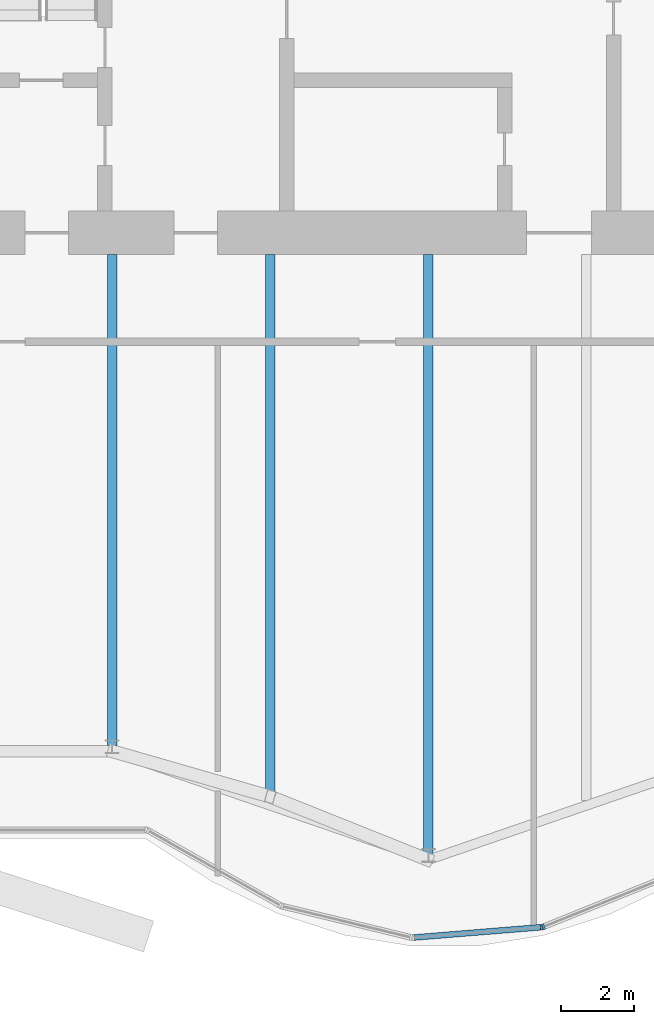
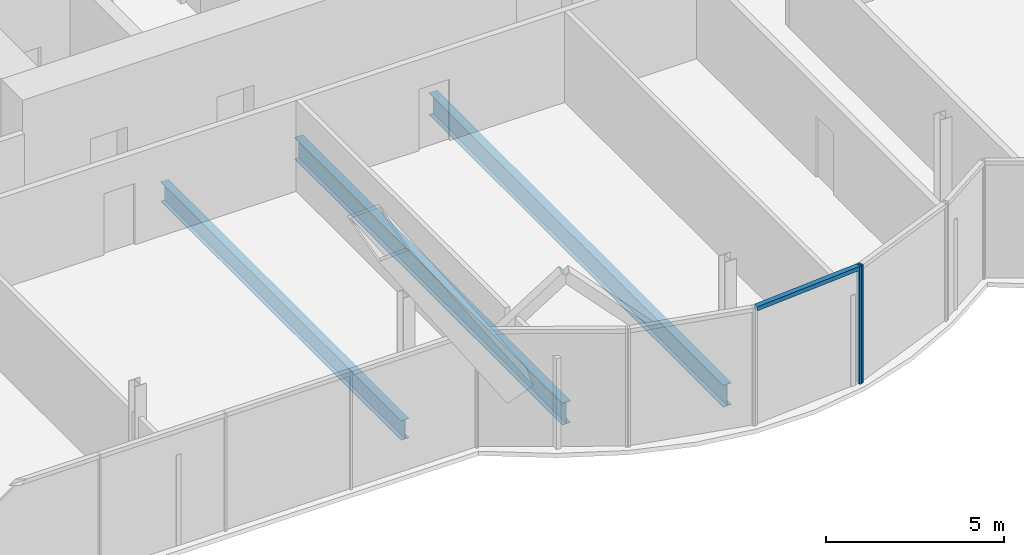
# One storey, part 8 of 23: 3 beams, 3 members, 1 element without a shape of its own.
"""IFC4 building model written with IfcOpenShell, lengths in metres."""

from ifc_helpers import new_model, si_unit, direction, frame, origin, origin_2d, place, context, subcontext, project, spatial, rectangle, i_section, extrude, material, material_profile, profile_set, type_object, element, aggregate, save


model = new_model("IFC4")

# Units and contexts
model_context = context("Model", 3, precision=1e-05, world=origin(), true_north=direction((0.0, 1.0)))
body_context = subcontext(model_context, "Body", "Model", "MODEL_VIEW")
ifc_project = project(units=[si_unit("LENGTHUNIT", "METRE"), si_unit("AREAUNIT", "SQUARE_METRE"), si_unit("VOLUMEUNIT", "CUBIC_METRE"), si_unit("PLANEANGLEUNIT", "RADIAN"), si_unit("MASSUNIT", "GRAM", prefix="KILO")], contexts=[model_context])

# Site, building, storey
site_placement = place(None, origin())
site = spatial("IfcSite", under=ifc_project, at=site_placement, CompositionType="ELEMENT")
building_placement = place(site_placement, origin())
building = spatial("IfcBuilding", under=site, at=building_placement, Name="Bicima Exchange Tower", CompositionType="ELEMENT")
storey_placement = place(building_placement, frame((0.0, 0.0, 262.39990234375)))
storey = spatial("IfcBuildingStorey", under=building, at=storey_placement, Name="L59", CompositionType="ELEMENT", Elevation=262.39990234375)

# Beams
ifc_material_1 = material(Name="Steel ASTM A992 Gr 50", Category="steel")
ifc_material_profile_1 = material_profile(ifc_material_1, i_section(OverallWidth=0.25390625, OverallDepth=0.67822265625, WebThickness=0.01171875, FlangeThickness=0.016357421875, at=origin_2d()))
ifc_profile_set_1 = profile_set([ifc_material_profile_1], Name="Steel ASTM A992 Gr 50")
beam_type_1 = type_object("IfcBeamType", Name="Floor beam W27x84", PredefinedType="JOIST", material=ifc_profile_set_1)
beam_1_placement = place(storey_placement, frame((-17.39990234375, -13.0, -0.489013671875), z_axis=(0.0, -1.0, 0.0), x_axis=(1.0, 0.0, 0.0)))
element("IfcBeam", 1, at=beam_1_placement, inside=storey, type_object=beam_type_1, Name="Floor beam", PredefinedType="JOIST", context=body_context, shape_type="SweptSolid", body=[
    extrude(i_section(OverallWidth=0.25390625, OverallDepth=0.67822265625, WebThickness=0.01171875, FlangeThickness=0.016357421875, at=origin_2d()), origin(), (0.0, 0.0, 1.0), 13.50537109375),
])
ifc_material_profile_2 = material_profile(ifc_material_1, i_section(OverallWidth=0.2666015625, OverallDepth=0.75439453125, WebThickness=0.01318359375, FlangeThickness=0.01708984375, at=origin_2d()))
ifc_profile_set_2 = profile_set([ifc_material_profile_2], Name="Steel ASTM A992 Gr 50")
beam_type_2 = type_object("IfcBeamType", Name="Floor beam W30x99", PredefinedType="JOIST", material=ifc_profile_set_2)
beam_2_placement = place(storey_placement, frame((-13.050048828125, -13.0, -0.527099609375), z_axis=(0.0, -1.0, 0.0), x_axis=(1.0, 0.0, 0.0)))
element("IfcBeam", 2, at=beam_2_placement, inside=storey, type_object=beam_type_2, Name="Floor beam", PredefinedType="JOIST", context=body_context, shape_type="SweptSolid", body=[
    extrude(i_section(OverallWidth=0.2666015625, OverallDepth=0.75439453125, WebThickness=0.01318359375, FlangeThickness=0.01708984375, at=origin_2d()), origin(), (0.0, 0.0, 1.0), 15.02783203125),
])
beam_3_placement = place(storey_placement, frame((-8.699951171875, -13.0, -0.527099609375), z_axis=(0.0, -1.0, 0.0), x_axis=(1.0, 0.0, 0.0)))
element("IfcBeam", 3, at=beam_3_placement, inside=storey, type_object=beam_type_2, Name="Floor beam", PredefinedType="JOIST", context=body_context, shape_type="SweptSolid", body=[
    extrude(i_section(OverallWidth=0.2666015625, OverallDepth=0.75439453125, WebThickness=0.01318359375, FlangeThickness=0.01708984375, at=origin_2d()), origin(), (0.0, 0.0, 1.0), 16.5234375),
])

# Curtain wall, members
ifc_material_2 = material(Name="Anodised bronze aluminium", Category="aluminium")
curtain_wall_type = type_object("IfcCurtainWallType", Name="Front glass wall", PredefinedType="NOTDEFINED", material=ifc_material_2)
curtain_wall_placement = place(storey_placement, origin())
curtain_wall = element("IfcCurtainWall", 4, at=curtain_wall_placement, inside=storey, type_object=curtain_wall_type, Name="Front glass wall L59 run 6", PredefinedType="NOTDEFINED")
ifc_material_profile_3 = material_profile(ifc_material_2, rectangle(XDim=0.159912109375, YDim=0.06005859375, at=origin_2d()))
ifc_profile_set_3 = profile_set([ifc_material_profile_3], Name="Anodised bronze aluminium")
member_type_1 = type_object("IfcMemberType", Name="Front glass wall mullion 60 x 160", PredefinedType="MULLION", material=ifc_profile_set_3)
member_1_placement = place(storey_placement, frame((-5.583984375, -31.5126953125, 0.0), z_axis=(0.0, 0.0, 1.0), x_axis=(-0.080588612633, 0.99674744821, 0.0)))
member_1 = element("IfcMember", 5, at=member_1_placement, type_object=member_type_1, Name="Front glass wall mullion 2", PredefinedType="MULLION", context=body_context, shape_type="SweptSolid", body=[
    extrude(rectangle(XDim=0.159912109375, YDim=0.06005859375, at=origin_2d()), origin(), (0.0, 0.0, 1.0), 4.050048828125),
])
member_2_placement = place(storey_placement, frame((-5.526123046875, -31.499267578125, 0.0), z_axis=(0.0, 0.0, 1.0), x_axis=(-0.374705304, 0.92714396679, 0.0)))
member_2 = element("IfcMember", 6, at=member_2_placement, type_object=member_type_1, Name="Front glass wall mullion 1", PredefinedType="MULLION", context=body_context, shape_type="SweptSolid", body=[
    extrude(rectangle(XDim=0.159912109375, YDim=0.06005859375, at=origin_2d()), origin(), (0.0, 0.0, 1.0), 4.050048828125),
])
ifc_material_profile_4 = material_profile(ifc_material_2, rectangle(XDim=0.159912109375, YDim=0.139892578125, at=origin_2d()))
ifc_profile_set_4 = profile_set([ifc_material_profile_4], Name="Anodised bronze aluminium")
member_type_2 = type_object("IfcMemberType", Name="Front glass wall transom 140 x 160", PredefinedType="USERDEFINED", material=ifc_profile_set_4)
member_3_placement = place(storey_placement, frame((-9.08837890625, -31.796142578125, 3.97998046875), z_axis=(0.9967456465, 0.080610893699, 0.0), x_axis=(-0.080610893699, 0.9967456465, 0.0)))
member_3 = element("IfcMember", 7, at=member_3_placement, type_object=member_type_2, Name="Front glass wall transom 1.1", ObjectType="TRANSOM", PredefinedType="USERDEFINED", context=body_context, shape_type="SweptSolid", body=[
    extrude(rectangle(XDim=0.159912109375, YDim=0.139892578125, at=origin_2d()), origin(), (0.0, 0.0, 1.0), 3.48583984375),
])
aggregate(curtain_wall, [member_1, member_3, member_2])

save(model, "model.ifc")
